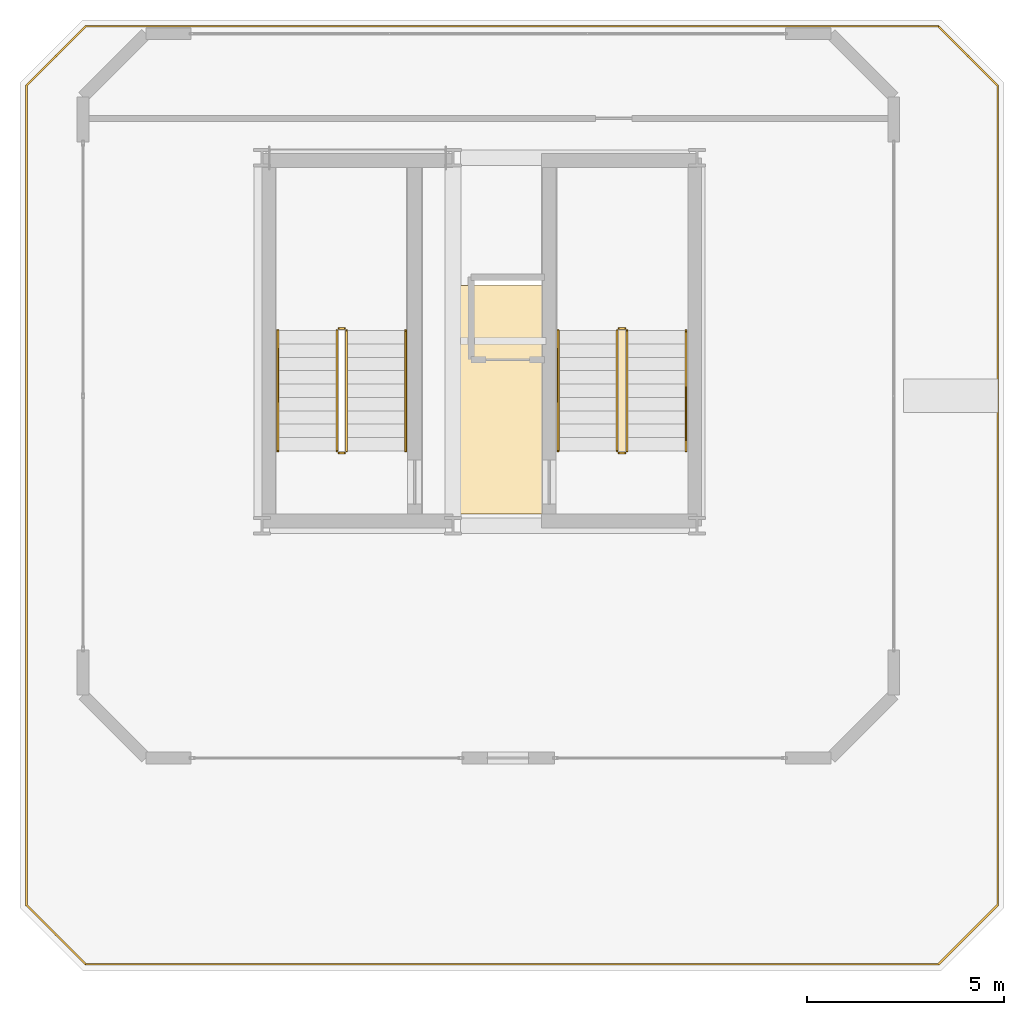
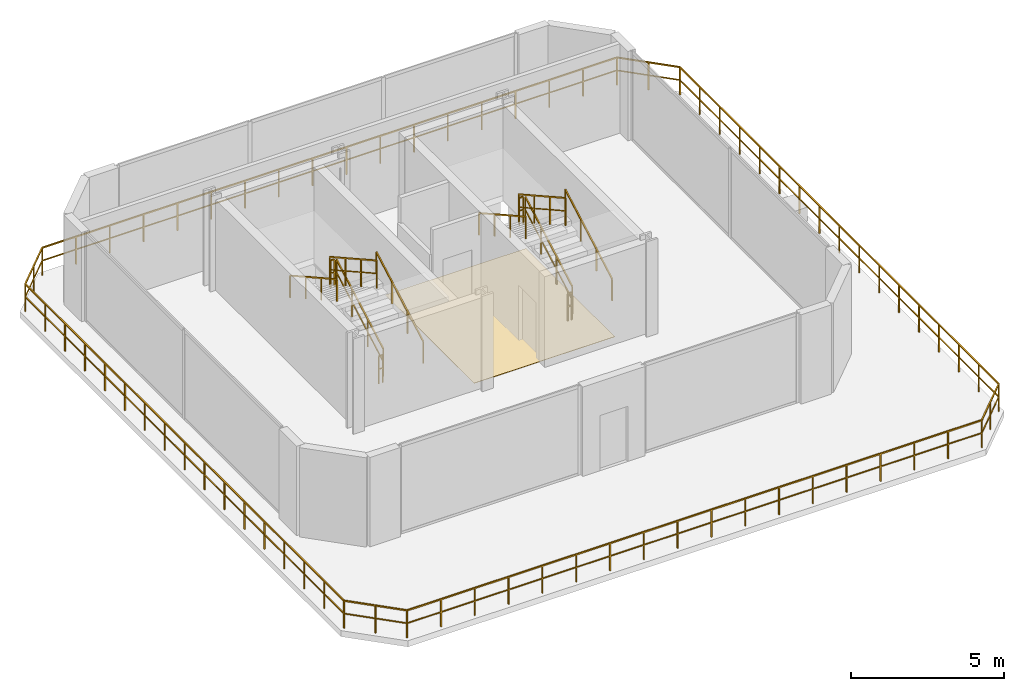
# One storey, part 12 of 12: 14 railings, 1 covering.
"""IFC4 building model written with IfcOpenShell, lengths in metres."""

from ifc_helpers import new_model, si_unit, direction, frame, origin, origin_2d, place, context, subcontext, project, spatial, polyline, rectangle, outline, extrude, material, layer, layer_set, type_object, element, save


model = new_model("IFC4")

# Units and contexts
model_context = context("Model", 3, precision=1e-05, world=origin(), true_north=direction((0.0, 1.0)))
body_context = subcontext(model_context, "Body", "Model", "MODEL_VIEW")
ifc_project = project(units=[si_unit("LENGTHUNIT", "METRE"), si_unit("AREAUNIT", "SQUARE_METRE"), si_unit("VOLUMEUNIT", "CUBIC_METRE"), si_unit("PLANEANGLEUNIT", "RADIAN"), si_unit("MASSUNIT", "GRAM", prefix="KILO")], contexts=[model_context])

# Site, building, storey
site_placement = place(None, origin())
site = spatial("IfcSite", under=ifc_project, at=site_placement, CompositionType="ELEMENT")
building_placement = place(site_placement, origin())
building = spatial("IfcBuilding", under=site, at=building_placement, Name="Zuhayl Quay Hotel", CompositionType="ELEMENT")
storey_placement = place(building_placement, frame((0.0, 0.0, 312.449951171875)))
storey = spatial("IfcBuildingStorey", under=building, at=storey_placement, Name="Crown 5", CompositionType="ELEMENT", Elevation=312.449951171875)

# Covering
ifc_material_1 = material(Name="EPDM Elastomeric Waterproofing Membrane")
ifc_layer = layer(ifc_material_1, 0.014892578125, Name="EPDM Elastomeric Waterproofing Membrane")
ifc_layer_set = layer_set([ifc_layer], Name="EPDM Elastomeric Waterproofing Membrane")
covering_type = type_object("IfcCoveringType", Name="CV_ROOF_MEMBRANE", PredefinedType="ROOFING", material=ifc_layer_set)
covering_placement = place(storey_placement, origin())
element("IfcCovering", 1, at=covering_placement, inside=storey, type_object=covering_type, Name="Crown 5 Elastomeric Roof Membrane", PredefinedType="ROOFING", context=body_context, shape_type="SweptSolid", body=[
    extrude(outline(polyline([(-4.800048828125, 25.39990234375), (0.5, 25.39990234375), (0.5, 31.199951171875), (-4.800048828125, 31.199951171875), (-4.800048828125, 25.39990234375)])), origin(), (0.0, 0.0, 1.0), 0.01513671875),
])

# Railings
ifc_material_2 = material(Name="Anodised Aluminium and Laminated Glass", Category="aluminium")
railing_type_1 = type_object("IfcRailingType", Name="RL_EXT_BAL_1100", PredefinedType="BALUSTRADE", material=ifc_material_2)
railing_1_placement = place(storey_placement, frame((-13.93359375, 13.9599609375, 0.0)))
element("IfcRailing", 2, at=railing_1_placement, inside=storey, type_object=railing_type_1, Name="Crown 5 Balcony and Terrace Guard GR_CROWN_5_1A", PredefinedType="BALUSTRADE", context=body_context, shape_type="SweptSolid", body=[
    extrude(rectangle(XDim=0.048095703125, YDim=0.048095703125, at=origin_2d()), frame((0.0, 0.0, 1.09619140625), z_axis=(-0.707106781187, 0.707106781187, 0.0), x_axis=(-0.707106781187, -0.707106781187, 0.0)), (0.0, 0.0, 1.0), 2.13037109375),
    extrude(rectangle(XDim=0.0361328125, YDim=0.0361328125, at=origin_2d()), frame((0.0, 0.0, 0.58251953125), z_axis=(-0.707106781187, 0.707106781187, 0.0), x_axis=(-0.707106781187, -0.707106781187, 0.0)), (0.0, 0.0, 1.0), 2.13037109375),
    extrude(rectangle(XDim=0.048095703125, YDim=0.048095703125, at=origin_2d()), frame((-1.50634765625, 1.50634765625, 1.09619140625), z_axis=(0.0, 1.0, 0.0), x_axis=(-1.0, 0.0, 0.0)), (0.0, 0.0, 1.0), 20.8173828125),
    extrude(rectangle(XDim=0.0361328125, YDim=0.0361328125, at=origin_2d()), frame((-1.50634765625, 1.50634765625, 0.58251953125), z_axis=(0.0, 1.0, 0.0), x_axis=(-1.0, 0.0, 0.0)), (0.0, 0.0, 1.0), 20.8173828125),
    extrude(rectangle(XDim=0.048095703125, YDim=0.048095703125, at=origin_2d()), frame((-1.50634765625, 22.32373046875, 1.09619140625), z_axis=(0.707106781187, 0.707106781187, 0.0), x_axis=(-0.707106781187, 0.707106781187, 0.0)), (0.0, 0.0, 1.0), 2.13037109375),
    extrude(rectangle(XDim=0.0361328125, YDim=0.0361328125, at=origin_2d()), frame((-1.50634765625, 22.32373046875, 0.58251953125), z_axis=(0.707106781187, 0.707106781187, 0.0), x_axis=(-0.707106781187, 0.707106781187, 0.0)), (0.0, 0.0, 1.0), 2.13037109375),
    extrude(rectangle(XDim=0.048095703125, YDim=0.048095703125, at=origin_2d()), frame((0.0, 23.830078125, 1.09619140625), z_axis=(1.0, 0.0, 0.0), x_axis=(0.0, 1.0, 0.0)), (0.0, 0.0, 1.0), 21.667236328125),
    extrude(rectangle(XDim=0.0361328125, YDim=0.0361328125, at=origin_2d()), frame((0.0, 23.830078125, 0.58251953125), z_axis=(1.0, 0.0, 0.0), x_axis=(0.0, 1.0, 0.0)), (0.0, 0.0, 1.0), 21.667236328125),
    extrude(rectangle(XDim=0.0419921875, YDim=0.0419921875, at=origin_2d()), origin(), (0.0, 0.0, 1.0), 1.072021484375),
    extrude(rectangle(XDim=0.0419921875, YDim=0.0419921875, at=origin_2d()), frame((-0.753173828125, 0.753173828125, 0.0)), (0.0, 0.0, 1.0), 1.072021484375),
    extrude(rectangle(XDim=0.0419921875, YDim=0.0419921875, at=origin_2d()), frame((-1.50634765625, 1.50634765625, 0.0)), (0.0, 0.0, 1.0), 1.072021484375),
    extrude(rectangle(XDim=0.0419921875, YDim=0.0419921875, at=origin_2d()), frame((-1.50634765625, 2.807373046875, 0.0)), (0.0, 0.0, 1.0), 1.072021484375),
    extrude(rectangle(XDim=0.0419921875, YDim=0.0419921875, at=origin_2d()), frame((-1.50634765625, 4.1083984375, 0.0)), (0.0, 0.0, 1.0), 1.072021484375),
    extrude(rectangle(XDim=0.0419921875, YDim=0.0419921875, at=origin_2d()), frame((-1.50634765625, 5.40966796875, 0.0)), (0.0, 0.0, 1.0), 1.072021484375),
    extrude(rectangle(XDim=0.0419921875, YDim=0.0419921875, at=origin_2d()), frame((-1.50634765625, 6.710693359375, 0.0)), (0.0, 0.0, 1.0), 1.072021484375),
    extrude(rectangle(XDim=0.0419921875, YDim=0.0419921875, at=origin_2d()), frame((-1.50634765625, 8.01171875, 0.0)), (0.0, 0.0, 1.0), 1.072021484375),
    extrude(rectangle(XDim=0.0419921875, YDim=0.0419921875, at=origin_2d()), frame((-1.50634765625, 9.31298828125, 0.0)), (0.0, 0.0, 1.0), 1.072021484375),
    extrude(rectangle(XDim=0.0419921875, YDim=0.0419921875, at=origin_2d()), frame((-1.50634765625, 10.614013671875, 0.0)), (0.0, 0.0, 1.0), 1.072021484375),
    extrude(rectangle(XDim=0.0419921875, YDim=0.0419921875, at=origin_2d()), frame((-1.50634765625, 11.9150390625, 0.0)), (0.0, 0.0, 1.0), 1.072021484375),
    extrude(rectangle(XDim=0.0419921875, YDim=0.0419921875, at=origin_2d()), frame((-1.50634765625, 13.216064453125, 0.0)), (0.0, 0.0, 1.0), 1.072021484375),
    extrude(rectangle(XDim=0.0419921875, YDim=0.0419921875, at=origin_2d()), frame((-1.50634765625, 14.51708984375, 0.0)), (0.0, 0.0, 1.0), 1.072021484375),
    extrude(rectangle(XDim=0.0419921875, YDim=0.0419921875, at=origin_2d()), frame((-1.50634765625, 15.818359375, 0.0)), (0.0, 0.0, 1.0), 1.072021484375),
    extrude(rectangle(XDim=0.0419921875, YDim=0.0419921875, at=origin_2d()), frame((-1.50634765625, 17.119384765625, 0.0)), (0.0, 0.0, 1.0), 1.072021484375),
    extrude(rectangle(XDim=0.0419921875, YDim=0.0419921875, at=origin_2d()), frame((-1.50634765625, 18.42041015625, 0.0)), (0.0, 0.0, 1.0), 1.072021484375),
    extrude(rectangle(XDim=0.0419921875, YDim=0.0419921875, at=origin_2d()), frame((-1.50634765625, 19.7216796875, 0.0)), (0.0, 0.0, 1.0), 1.072021484375),
    extrude(rectangle(XDim=0.0419921875, YDim=0.0419921875, at=origin_2d()), frame((-1.50634765625, 21.022705078125, 0.0)), (0.0, 0.0, 1.0), 1.072021484375),
    extrude(rectangle(XDim=0.0419921875, YDim=0.0419921875, at=origin_2d()), frame((-1.50634765625, 22.32373046875, 0.0)), (0.0, 0.0, 1.0), 1.072021484375),
    extrude(rectangle(XDim=0.0419921875, YDim=0.0419921875, at=origin_2d()), frame((-0.753173828125, 23.076904296875, 0.0)), (0.0, 0.0, 1.0), 1.072021484375),
    extrude(rectangle(XDim=0.0419921875, YDim=0.0419921875, at=origin_2d()), frame((0.0, 23.830078125, 0.0)), (0.0, 0.0, 1.0), 1.072021484375),
    extrude(rectangle(XDim=0.0419921875, YDim=0.0419921875, at=origin_2d()), frame((1.274658203125, 23.830078125, 0.0)), (0.0, 0.0, 1.0), 1.072021484375),
    extrude(rectangle(XDim=0.0419921875, YDim=0.0419921875, at=origin_2d()), frame((2.549072265625, 23.830078125, 0.0)), (0.0, 0.0, 1.0), 1.072021484375),
    extrude(rectangle(XDim=0.0419921875, YDim=0.0419921875, at=origin_2d()), frame((3.82373046875, 23.830078125, 0.0)), (0.0, 0.0, 1.0), 1.072021484375),
    extrude(rectangle(XDim=0.0419921875, YDim=0.0419921875, at=origin_2d()), frame((5.09814453125, 23.830078125, 0.0)), (0.0, 0.0, 1.0), 1.072021484375),
    extrude(rectangle(XDim=0.0419921875, YDim=0.0419921875, at=origin_2d()), frame((6.372802734375, 23.830078125, 0.0)), (0.0, 0.0, 1.0), 1.072021484375),
    extrude(rectangle(XDim=0.0419921875, YDim=0.0419921875, at=origin_2d()), frame((7.647216796875, 23.830078125, 0.0)), (0.0, 0.0, 1.0), 1.072021484375),
    extrude(rectangle(XDim=0.0419921875, YDim=0.0419921875, at=origin_2d()), frame((8.921875, 23.830078125, 0.0)), (0.0, 0.0, 1.0), 1.072021484375),
    extrude(rectangle(XDim=0.0419921875, YDim=0.0419921875, at=origin_2d()), frame((10.1962890625, 23.830078125, 0.0)), (0.0, 0.0, 1.0), 1.072021484375),
    extrude(rectangle(XDim=0.0419921875, YDim=0.0419921875, at=origin_2d()), frame((11.470947265625, 23.830078125, 0.0)), (0.0, 0.0, 1.0), 1.072021484375),
    extrude(rectangle(XDim=0.0419921875, YDim=0.0419921875, at=origin_2d()), frame((12.745361328125, 23.830078125, 0.0)), (0.0, 0.0, 1.0), 1.072021484375),
    extrude(rectangle(XDim=0.0419921875, YDim=0.0419921875, at=origin_2d()), frame((14.02001953125, 23.830078125, 0.0)), (0.0, 0.0, 1.0), 1.072021484375),
    extrude(rectangle(XDim=0.0419921875, YDim=0.0419921875, at=origin_2d()), frame((15.29443359375, 23.830078125, 0.0)), (0.0, 0.0, 1.0), 1.072021484375),
    extrude(rectangle(XDim=0.0419921875, YDim=0.0419921875, at=origin_2d()), frame((16.569091796875, 23.830078125, 0.0)), (0.0, 0.0, 1.0), 1.072021484375),
    extrude(rectangle(XDim=0.0419921875, YDim=0.0419921875, at=origin_2d()), frame((17.843505859375, 23.830078125, 0.0)), (0.0, 0.0, 1.0), 1.072021484375),
    extrude(rectangle(XDim=0.0419921875, YDim=0.0419921875, at=origin_2d()), frame((19.1181640625, 23.830078125, 0.0)), (0.0, 0.0, 1.0), 1.072021484375),
    extrude(rectangle(XDim=0.0419921875, YDim=0.0419921875, at=origin_2d()), frame((20.392578125, 23.830078125, 0.0)), (0.0, 0.0, 1.0), 1.072021484375),
    extrude(rectangle(XDim=0.0419921875, YDim=0.0419921875, at=origin_2d()), frame((21.667236328125, 23.830078125, 0.0)), (0.0, 0.0, 1.0), 1.072021484375),
])
railing_2_placement = place(storey_placement, frame((7.733642578125, 37.7900390625, 0.0)))
element("IfcRailing", 3, at=railing_2_placement, inside=storey, type_object=railing_type_1, Name="Crown 5 Balcony and Terrace Guard GR_CROWN_5_1B", PredefinedType="BALUSTRADE", context=body_context, shape_type="SweptSolid", body=[
    extrude(rectangle(XDim=0.048095703125, YDim=0.048095703125, at=origin_2d()), frame((0.0, 0.0, 1.09619140625), z_axis=(0.707106781187, -0.707106781187, 0.0), x_axis=(0.707106781187, 0.707106781187, 0.0)), (0.0, 0.0, 1.0), 2.13037109375),
    extrude(rectangle(XDim=0.0361328125, YDim=0.0361328125, at=origin_2d()), frame((0.0, 0.0, 0.58251953125), z_axis=(0.707106781187, -0.707106781187, 0.0), x_axis=(0.707106781187, 0.707106781187, 0.0)), (0.0, 0.0, 1.0), 2.13037109375),
    extrude(rectangle(XDim=0.048095703125, YDim=0.048095703125, at=origin_2d()), frame((1.50634765625, -1.50634765625, 1.09619140625), z_axis=(0.0, -1.0, 0.0), x_axis=(1.0, 0.0, 0.0)), (0.0, 0.0, 1.0), 20.8173828125),
    extrude(rectangle(XDim=0.0361328125, YDim=0.0361328125, at=origin_2d()), frame((1.50634765625, -1.50634765625, 0.58251953125), z_axis=(0.0, -1.0, 0.0), x_axis=(1.0, 0.0, 0.0)), (0.0, 0.0, 1.0), 20.8173828125),
    extrude(rectangle(XDim=0.048095703125, YDim=0.048095703125, at=origin_2d()), frame((1.50634765625, -22.32373046875, 1.09619140625), z_axis=(-0.707106781187, -0.707106781187, 0.0), x_axis=(0.707106781187, -0.707106781187, 0.0)), (0.0, 0.0, 1.0), 2.13037109375),
    extrude(rectangle(XDim=0.0361328125, YDim=0.0361328125, at=origin_2d()), frame((1.50634765625, -22.32373046875, 0.58251953125), z_axis=(-0.707106781187, -0.707106781187, 0.0), x_axis=(0.707106781187, -0.707106781187, 0.0)), (0.0, 0.0, 1.0), 2.13037109375),
    extrude(rectangle(XDim=0.048095703125, YDim=0.048095703125, at=origin_2d()), frame((0.0, -23.830078125, 1.09619140625), z_axis=(-1.0, 0.0, 0.0), x_axis=(0.0, -1.0, 0.0)), (0.0, 0.0, 1.0), 21.667236328125),
    extrude(rectangle(XDim=0.0361328125, YDim=0.0361328125, at=origin_2d()), frame((0.0, -23.830078125, 0.58251953125), z_axis=(-1.0, 0.0, 0.0), x_axis=(0.0, -1.0, 0.0)), (0.0, 0.0, 1.0), 21.667236328125),
    extrude(rectangle(XDim=0.0419921875, YDim=0.0419921875, at=origin_2d()), origin(), (0.0, 0.0, 1.0), 1.072021484375),
    extrude(rectangle(XDim=0.0419921875, YDim=0.0419921875, at=origin_2d()), frame((0.753173828125, -0.753173828125, 0.0)), (0.0, 0.0, 1.0), 1.072021484375),
    extrude(rectangle(XDim=0.0419921875, YDim=0.0419921875, at=origin_2d()), frame((1.50634765625, -1.50634765625, 0.0)), (0.0, 0.0, 1.0), 1.072021484375),
    extrude(rectangle(XDim=0.0419921875, YDim=0.0419921875, at=origin_2d()), frame((1.50634765625, -2.807373046875, 0.0)), (0.0, 0.0, 1.0), 1.072021484375),
    extrude(rectangle(XDim=0.0419921875, YDim=0.0419921875, at=origin_2d()), frame((1.50634765625, -4.1083984375, 0.0)), (0.0, 0.0, 1.0), 1.072021484375),
    extrude(rectangle(XDim=0.0419921875, YDim=0.0419921875, at=origin_2d()), frame((1.50634765625, -5.40966796875, 0.0)), (0.0, 0.0, 1.0), 1.072021484375),
    extrude(rectangle(XDim=0.0419921875, YDim=0.0419921875, at=origin_2d()), frame((1.50634765625, -6.710693359375, 0.0)), (0.0, 0.0, 1.0), 1.072021484375),
    extrude(rectangle(XDim=0.0419921875, YDim=0.0419921875, at=origin_2d()), frame((1.50634765625, -8.01171875, 0.0)), (0.0, 0.0, 1.0), 1.072021484375),
    extrude(rectangle(XDim=0.0419921875, YDim=0.0419921875, at=origin_2d()), frame((1.50634765625, -9.31298828125, 0.0)), (0.0, 0.0, 1.0), 1.072021484375),
    extrude(rectangle(XDim=0.0419921875, YDim=0.0419921875, at=origin_2d()), frame((1.50634765625, -10.614013671875, 0.0)), (0.0, 0.0, 1.0), 1.072021484375),
    extrude(rectangle(XDim=0.0419921875, YDim=0.0419921875, at=origin_2d()), frame((1.50634765625, -11.9150390625, 0.0)), (0.0, 0.0, 1.0), 1.072021484375),
    extrude(rectangle(XDim=0.0419921875, YDim=0.0419921875, at=origin_2d()), frame((1.50634765625, -13.216064453125, 0.0)), (0.0, 0.0, 1.0), 1.072021484375),
    extrude(rectangle(XDim=0.0419921875, YDim=0.0419921875, at=origin_2d()), frame((1.50634765625, -14.51708984375, 0.0)), (0.0, 0.0, 1.0), 1.072021484375),
    extrude(rectangle(XDim=0.0419921875, YDim=0.0419921875, at=origin_2d()), frame((1.50634765625, -15.818359375, 0.0)), (0.0, 0.0, 1.0), 1.072021484375),
    extrude(rectangle(XDim=0.0419921875, YDim=0.0419921875, at=origin_2d()), frame((1.50634765625, -17.119384765625, 0.0)), (0.0, 0.0, 1.0), 1.072021484375),
    extrude(rectangle(XDim=0.0419921875, YDim=0.0419921875, at=origin_2d()), frame((1.50634765625, -18.42041015625, 0.0)), (0.0, 0.0, 1.0), 1.072021484375),
    extrude(rectangle(XDim=0.0419921875, YDim=0.0419921875, at=origin_2d()), frame((1.50634765625, -19.7216796875, 0.0)), (0.0, 0.0, 1.0), 1.072021484375),
    extrude(rectangle(XDim=0.0419921875, YDim=0.0419921875, at=origin_2d()), frame((1.50634765625, -21.022705078125, 0.0)), (0.0, 0.0, 1.0), 1.072021484375),
    extrude(rectangle(XDim=0.0419921875, YDim=0.0419921875, at=origin_2d()), frame((1.50634765625, -22.32373046875, 0.0)), (0.0, 0.0, 1.0), 1.072021484375),
    extrude(rectangle(XDim=0.0419921875, YDim=0.0419921875, at=origin_2d()), frame((0.753173828125, -23.076904296875, 0.0)), (0.0, 0.0, 1.0), 1.072021484375),
    extrude(rectangle(XDim=0.0419921875, YDim=0.0419921875, at=origin_2d()), frame((0.0, -23.830078125, 0.0)), (0.0, 0.0, 1.0), 1.072021484375),
    extrude(rectangle(XDim=0.0419921875, YDim=0.0419921875, at=origin_2d()), frame((-1.274658203125, -23.830078125, 0.0)), (0.0, 0.0, 1.0), 1.072021484375),
    extrude(rectangle(XDim=0.0419921875, YDim=0.0419921875, at=origin_2d()), frame((-2.549072265625, -23.830078125, 0.0)), (0.0, 0.0, 1.0), 1.072021484375),
    extrude(rectangle(XDim=0.0419921875, YDim=0.0419921875, at=origin_2d()), frame((-3.82373046875, -23.830078125, 0.0)), (0.0, 0.0, 1.0), 1.072021484375),
    extrude(rectangle(XDim=0.0419921875, YDim=0.0419921875, at=origin_2d()), frame((-5.09814453125, -23.830078125, 0.0)), (0.0, 0.0, 1.0), 1.072021484375),
    extrude(rectangle(XDim=0.0419921875, YDim=0.0419921875, at=origin_2d()), frame((-6.372802734375, -23.830078125, 0.0)), (0.0, 0.0, 1.0), 1.072021484375),
    extrude(rectangle(XDim=0.0419921875, YDim=0.0419921875, at=origin_2d()), frame((-7.647216796875, -23.830078125, 0.0)), (0.0, 0.0, 1.0), 1.072021484375),
    extrude(rectangle(XDim=0.0419921875, YDim=0.0419921875, at=origin_2d()), frame((-8.921875, -23.830078125, 0.0)), (0.0, 0.0, 1.0), 1.072021484375),
    extrude(rectangle(XDim=0.0419921875, YDim=0.0419921875, at=origin_2d()), frame((-10.1962890625, -23.830078125, 0.0)), (0.0, 0.0, 1.0), 1.072021484375),
    extrude(rectangle(XDim=0.0419921875, YDim=0.0419921875, at=origin_2d()), frame((-11.470947265625, -23.830078125, 0.0)), (0.0, 0.0, 1.0), 1.072021484375),
    extrude(rectangle(XDim=0.0419921875, YDim=0.0419921875, at=origin_2d()), frame((-12.745361328125, -23.830078125, 0.0)), (0.0, 0.0, 1.0), 1.072021484375),
    extrude(rectangle(XDim=0.0419921875, YDim=0.0419921875, at=origin_2d()), frame((-14.02001953125, -23.830078125, 0.0)), (0.0, 0.0, 1.0), 1.072021484375),
    extrude(rectangle(XDim=0.0419921875, YDim=0.0419921875, at=origin_2d()), frame((-15.29443359375, -23.830078125, 0.0)), (0.0, 0.0, 1.0), 1.072021484375),
    extrude(rectangle(XDim=0.0419921875, YDim=0.0419921875, at=origin_2d()), frame((-16.569091796875, -23.830078125, 0.0)), (0.0, 0.0, 1.0), 1.072021484375),
    extrude(rectangle(XDim=0.0419921875, YDim=0.0419921875, at=origin_2d()), frame((-17.843505859375, -23.830078125, 0.0)), (0.0, 0.0, 1.0), 1.072021484375),
    extrude(rectangle(XDim=0.0419921875, YDim=0.0419921875, at=origin_2d()), frame((-19.1181640625, -23.830078125, 0.0)), (0.0, 0.0, 1.0), 1.072021484375),
    extrude(rectangle(XDim=0.0419921875, YDim=0.0419921875, at=origin_2d()), frame((-20.392578125, -23.830078125, 0.0)), (0.0, 0.0, 1.0), 1.072021484375),
    extrude(rectangle(XDim=0.0419921875, YDim=0.0419921875, at=origin_2d()), frame((-21.667236328125, -23.830078125, 0.0)), (0.0, 0.0, 1.0), 1.072021484375),
])
ifc_material_3 = material(Name="Steel ASTM A992 Grade 50", Category="steel")
railing_type_2 = type_object("IfcRailingType", Name="RL_GUARD_1100", PredefinedType="GUARDRAIL", material=ifc_material_3)
railing_3_placement = place(storey_placement, frame((-7.300048828125, 27.0, 0.18994140625)))
element("IfcRailing", 4, at=railing_3_placement, inside=storey, type_object=railing_type_2, Name="Crown 5 ST5 stair guard 1", PredefinedType="GUARDRAIL", context=body_context, shape_type="SweptSolid", body=[
    extrude(rectangle(XDim=0.048095703125, YDim=0.048095703125, at=origin_2d()), frame((0.0, 0.0, 1.09619140625), z_axis=(0.0, 0.872922546704, 0.487858819185), x_axis=(-1.0, 0.0, 0.0)), (0.0, 0.0, 1.0), 3.505615234375),
    extrude(rectangle(XDim=0.0361328125, YDim=0.0361328125, at=origin_2d()), frame((0.0, 0.0, 0.58251953125), z_axis=(0.0, 0.872922546704, 0.487858819185), x_axis=(-1.0, 0.0, 0.0)), (0.0, 0.0, 1.0), 3.505615234375),
    extrude(rectangle(XDim=0.0419921875, YDim=0.0419921875, at=origin_2d()), origin(), (0.0, 0.0, 1.0), 1.072021484375),
    extrude(rectangle(XDim=0.0419921875, YDim=0.0419921875, at=origin_2d()), frame((0.0, 1.02001953125, 0.570068359375)), (0.0, 0.0, 1.0), 1.072021484375),
    extrude(rectangle(XDim=0.0419921875, YDim=0.0419921875, at=origin_2d()), frame((0.0, 2.0400390625, 1.14013671875)), (0.0, 0.0, 1.0), 1.072021484375),
    extrude(rectangle(XDim=0.0419921875, YDim=0.0419921875, at=origin_2d()), frame((0.0, 3.06005859375, 1.710205078125)), (0.0, 0.0, 1.0), 1.072021484375),
])
railing_4_placement = place(storey_placement, frame((-7.35009765625, 30.110107421875, 1.900146484375)))
element("IfcRailing", 5, at=railing_4_placement, inside=storey, type_object=railing_type_2, Name="Crown 5 ST5 stair guard 2", PredefinedType="GUARDRAIL", context=body_context, shape_type="SweptSolid", body=[
    extrude(rectangle(XDim=0.048095703125, YDim=0.048095703125, at=origin_2d()), frame((0.0, 0.0, 1.09619140625), z_axis=(-1.0, 0.0, 0.0), x_axis=(0.0, -1.0, 0.0)), (0.0, 0.0, 1.0), 0.14990234375),
    extrude(rectangle(XDim=0.0361328125, YDim=0.0361328125, at=origin_2d()), frame((0.0, 0.0, 0.58251953125), z_axis=(-1.0, 0.0, 0.0), x_axis=(0.0, -1.0, 0.0)), (0.0, 0.0, 1.0), 0.14990234375),
    extrude(rectangle(XDim=0.0419921875, YDim=0.0419921875, at=origin_2d()), origin(), (0.0, 0.0, 1.0), 1.072021484375),
    extrude(rectangle(XDim=0.0419921875, YDim=0.0419921875, at=origin_2d()), frame((-0.14990234375, 0.0, 0.0)), (0.0, 0.0, 1.0), 1.072021484375),
])
railing_5_placement = place(storey_placement, frame((-7.550048828125, 30.06005859375, 2.090087890625)))
element("IfcRailing", 6, at=railing_5_placement, inside=storey, type_object=railing_type_2, Name="Crown 5 ST5 stair guard 3", PredefinedType="GUARDRAIL", context=body_context, shape_type="SweptSolid", body=[
    extrude(rectangle(XDim=0.048095703125, YDim=0.048095703125, at=origin_2d()), frame((0.0, 0.0, 1.09619140625), z_axis=(0.0, -0.872952205056, 0.487805747903), x_axis=(1.0, 0.0, 0.0)), (0.0, 0.0, 1.0), 3.50537109375),
    extrude(rectangle(XDim=0.0361328125, YDim=0.0361328125, at=origin_2d()), frame((0.0, 0.0, 0.58251953125), z_axis=(0.0, -0.872952205056, 0.487805747903), x_axis=(1.0, 0.0, 0.0)), (0.0, 0.0, 1.0), 3.50537109375),
    extrude(rectangle(XDim=0.0419921875, YDim=0.0419921875, at=origin_2d()), origin(), (0.0, 0.0, 1.0), 1.072021484375),
    extrude(rectangle(XDim=0.0419921875, YDim=0.0419921875, at=origin_2d()), frame((0.0, -1.02001953125, 0.570068359375)), (0.0, 0.0, 1.0), 1.072021484375),
    extrude(rectangle(XDim=0.0419921875, YDim=0.0419921875, at=origin_2d()), frame((0.0, -2.0400390625, 1.139892578125)), (0.0, 0.0, 1.0), 1.072021484375),
    extrude(rectangle(XDim=0.0419921875, YDim=0.0419921875, at=origin_2d()), frame((0.0, -3.06005859375, 1.7099609375)), (0.0, 0.0, 1.0), 1.072021484375),
])
railing_6_placement = place(storey_placement, frame((-7.35009765625, 26.949951171875, 0.0)))
element("IfcRailing", 7, at=railing_6_placement, inside=storey, type_object=railing_type_2, Name="Crown 5 ST5 stair guard 4", PredefinedType="GUARDRAIL", context=body_context, shape_type="SweptSolid", body=[
    extrude(rectangle(XDim=0.048095703125, YDim=0.048095703125, at=origin_2d()), frame((0.0, 0.0, 1.09619140625), z_axis=(-1.0, 0.0, 0.0), x_axis=(0.0, -1.0, 0.0)), (0.0, 0.0, 1.0), 0.14990234375),
    extrude(rectangle(XDim=0.0361328125, YDim=0.0361328125, at=origin_2d()), frame((0.0, 0.0, 0.58251953125), z_axis=(-1.0, 0.0, 0.0), x_axis=(0.0, -1.0, 0.0)), (0.0, 0.0, 1.0), 0.14990234375),
    extrude(rectangle(XDim=0.0419921875, YDim=0.0419921875, at=origin_2d()), origin(), (0.0, 0.0, 1.0), 1.072021484375),
    extrude(rectangle(XDim=0.0419921875, YDim=0.0419921875, at=origin_2d()), frame((-0.14990234375, 0.0, 0.0)), (0.0, 0.0, 1.0), 1.072021484375),
])
railing_7_placement = place(storey_placement, frame((-0.179931640625, 27.0, 0.18994140625)))
element("IfcRailing", 8, at=railing_7_placement, inside=storey, type_object=railing_type_2, Name="Crown 5 ST6 stair guard 1", PredefinedType="GUARDRAIL", context=body_context, shape_type="SweptSolid", body=[
    extrude(rectangle(XDim=0.048095703125, YDim=0.048095703125, at=origin_2d()), frame((0.0, 0.0, 1.09619140625), z_axis=(0.0, 0.872922546704, 0.487858819185), x_axis=(-1.0, 0.0, 0.0)), (0.0, 0.0, 1.0), 3.505615234375),
    extrude(rectangle(XDim=0.0361328125, YDim=0.0361328125, at=origin_2d()), frame((0.0, 0.0, 0.58251953125), z_axis=(0.0, 0.872922546704, 0.487858819185), x_axis=(-1.0, 0.0, 0.0)), (0.0, 0.0, 1.0), 3.505615234375),
    extrude(rectangle(XDim=0.0419921875, YDim=0.0419921875, at=origin_2d()), origin(), (0.0, 0.0, 1.0), 1.072021484375),
    extrude(rectangle(XDim=0.0419921875, YDim=0.0419921875, at=origin_2d()), frame((0.0, 1.02001953125, 0.570068359375)), (0.0, 0.0, 1.0), 1.072021484375),
    extrude(rectangle(XDim=0.0419921875, YDim=0.0419921875, at=origin_2d()), frame((0.0, 2.0400390625, 1.14013671875)), (0.0, 0.0, 1.0), 1.072021484375),
    extrude(rectangle(XDim=0.0419921875, YDim=0.0419921875, at=origin_2d()), frame((0.0, 3.06005859375, 1.710205078125)), (0.0, 0.0, 1.0), 1.072021484375),
])
railing_8_placement = place(storey_placement, frame((-0.22998046875, 30.110107421875, 1.900146484375)))
element("IfcRailing", 9, at=railing_8_placement, inside=storey, type_object=railing_type_2, Name="Crown 5 ST6 stair guard 2", PredefinedType="GUARDRAIL", context=body_context, shape_type="SweptSolid", body=[
    extrude(rectangle(XDim=0.048095703125, YDim=0.048095703125, at=origin_2d()), frame((0.0, 0.0, 1.09619140625), z_axis=(-1.0, 0.0, 0.0), x_axis=(0.0, -1.0, 0.0)), (0.0, 0.0, 1.0), 0.14990234375),
    extrude(rectangle(XDim=0.0361328125, YDim=0.0361328125, at=origin_2d()), frame((0.0, 0.0, 0.58251953125), z_axis=(-1.0, 0.0, 0.0), x_axis=(0.0, -1.0, 0.0)), (0.0, 0.0, 1.0), 0.14990234375),
    extrude(rectangle(XDim=0.0419921875, YDim=0.0419921875, at=origin_2d()), origin(), (0.0, 0.0, 1.0), 1.072021484375),
    extrude(rectangle(XDim=0.0419921875, YDim=0.0419921875, at=origin_2d()), frame((-0.14990234375, 0.0, 0.0)), (0.0, 0.0, 1.0), 1.072021484375),
])
railing_9_placement = place(storey_placement, frame((-0.429931640625, 30.06005859375, 2.090087890625)))
element("IfcRailing", 10, at=railing_9_placement, inside=storey, type_object=railing_type_2, Name="Crown 5 ST6 stair guard 3", PredefinedType="GUARDRAIL", context=body_context, shape_type="SweptSolid", body=[
    extrude(rectangle(XDim=0.048095703125, YDim=0.048095703125, at=origin_2d()), frame((0.0, 0.0, 1.09619140625), z_axis=(0.0, -0.872952205056, 0.487805747903), x_axis=(1.0, 0.0, 0.0)), (0.0, 0.0, 1.0), 3.50537109375),
    extrude(rectangle(XDim=0.0361328125, YDim=0.0361328125, at=origin_2d()), frame((0.0, 0.0, 0.58251953125), z_axis=(0.0, -0.872952205056, 0.487805747903), x_axis=(1.0, 0.0, 0.0)), (0.0, 0.0, 1.0), 3.50537109375),
    extrude(rectangle(XDim=0.0419921875, YDim=0.0419921875, at=origin_2d()), origin(), (0.0, 0.0, 1.0), 1.072021484375),
    extrude(rectangle(XDim=0.0419921875, YDim=0.0419921875, at=origin_2d()), frame((0.0, -1.02001953125, 0.570068359375)), (0.0, 0.0, 1.0), 1.072021484375),
    extrude(rectangle(XDim=0.0419921875, YDim=0.0419921875, at=origin_2d()), frame((0.0, -2.0400390625, 1.139892578125)), (0.0, 0.0, 1.0), 1.072021484375),
    extrude(rectangle(XDim=0.0419921875, YDim=0.0419921875, at=origin_2d()), frame((0.0, -3.06005859375, 1.7099609375)), (0.0, 0.0, 1.0), 1.072021484375),
])
railing_10_placement = place(storey_placement, frame((-0.22998046875, 26.949951171875, 0.0)))
element("IfcRailing", 11, at=railing_10_placement, inside=storey, type_object=railing_type_2, Name="Crown 5 ST6 stair guard 4", PredefinedType="GUARDRAIL", context=body_context, shape_type="SweptSolid", body=[
    extrude(rectangle(XDim=0.048095703125, YDim=0.048095703125, at=origin_2d()), frame((0.0, 0.0, 1.09619140625), z_axis=(-1.0, 0.0, 0.0), x_axis=(0.0, -1.0, 0.0)), (0.0, 0.0, 1.0), 0.14990234375),
    extrude(rectangle(XDim=0.0361328125, YDim=0.0361328125, at=origin_2d()), frame((0.0, 0.0, 0.58251953125), z_axis=(-1.0, 0.0, 0.0), x_axis=(0.0, -1.0, 0.0)), (0.0, 0.0, 1.0), 0.14990234375),
    extrude(rectangle(XDim=0.0419921875, YDim=0.0419921875, at=origin_2d()), origin(), (0.0, 0.0, 1.0), 1.072021484375),
    extrude(rectangle(XDim=0.0419921875, YDim=0.0419921875, at=origin_2d()), frame((-0.14990234375, 0.0, 0.0)), (0.0, 0.0, 1.0), 1.072021484375),
])
railing_type_3 = type_object("IfcRailingType", Name="RL_HANDRAIL_920", PredefinedType="HANDRAIL", material=ifc_material_3)
railing_11_placement = place(storey_placement, frame((-5.800048828125, 27.0, 0.18994140625)))
element("IfcRailing", 12, at=railing_11_placement, inside=storey, type_object=railing_type_3, Name="Crown 5 ST5 stair handrail 1", PredefinedType="HANDRAIL", context=body_context, shape_type="SweptSolid", body=[
    extrude(rectangle(XDim=0.048095703125, YDim=0.048095703125, at=origin_2d()), frame((0.0, 0.0, 0.8759765625), z_axis=(0.0, 0.872922546704, 0.487858819185), x_axis=(-1.0, 0.0, 0.0)), (0.0, 0.0, 1.0), 3.505615234375),
    extrude(rectangle(XDim=0.0419921875, YDim=0.0419921875, at=origin_2d()), origin(), (0.0, 0.0, 1.0), 0.851806640625),
    extrude(rectangle(XDim=0.0419921875, YDim=0.0419921875, at=origin_2d()), frame((0.0, 1.02001953125, 0.570068359375)), (0.0, 0.0, 1.0), 0.851806640625),
    extrude(rectangle(XDim=0.0419921875, YDim=0.0419921875, at=origin_2d()), frame((0.0, 2.0400390625, 1.14013671875)), (0.0, 0.0, 1.0), 0.851806640625),
    extrude(rectangle(XDim=0.0419921875, YDim=0.0419921875, at=origin_2d()), frame((0.0, 3.06005859375, 1.710205078125)), (0.0, 0.0, 1.0), 0.851806640625),
])
railing_12_placement = place(storey_placement, frame((-9.050048828125, 30.06005859375, 2.090087890625)))
element("IfcRailing", 13, at=railing_12_placement, inside=storey, type_object=railing_type_3, Name="Crown 5 ST5 stair handrail 2", PredefinedType="HANDRAIL", context=body_context, shape_type="SweptSolid", body=[
    extrude(rectangle(XDim=0.048095703125, YDim=0.048095703125, at=origin_2d()), frame((0.0, 0.0, 0.8759765625), z_axis=(0.0, -0.872952205056, 0.487805747903), x_axis=(1.0, 0.0, 0.0)), (0.0, 0.0, 1.0), 3.50537109375),
    extrude(rectangle(XDim=0.0419921875, YDim=0.0419921875, at=origin_2d()), origin(), (0.0, 0.0, 1.0), 0.851806640625),
    extrude(rectangle(XDim=0.0419921875, YDim=0.0419921875, at=origin_2d()), frame((0.0, -1.02001953125, 0.570068359375)), (0.0, 0.0, 1.0), 0.851806640625),
    extrude(rectangle(XDim=0.0419921875, YDim=0.0419921875, at=origin_2d()), frame((0.0, -2.0400390625, 1.139892578125)), (0.0, 0.0, 1.0), 0.851806640625),
    extrude(rectangle(XDim=0.0419921875, YDim=0.0419921875, at=origin_2d()), frame((0.0, -3.06005859375, 1.7099609375)), (0.0, 0.0, 1.0), 0.851806640625),
])
railing_13_placement = place(storey_placement, frame((1.320068359375, 27.0, 0.18994140625)))
element("IfcRailing", 14, at=railing_13_placement, inside=storey, type_object=railing_type_3, Name="Crown 5 ST6 stair handrail 1", PredefinedType="HANDRAIL", context=body_context, shape_type="SweptSolid", body=[
    extrude(rectangle(XDim=0.048095703125, YDim=0.048095703125, at=origin_2d()), frame((0.0, 0.0, 0.8759765625), z_axis=(0.0, 0.872922546704, 0.487858819185), x_axis=(-1.0, 0.0, 0.0)), (0.0, 0.0, 1.0), 3.505615234375),
    extrude(rectangle(XDim=0.0419921875, YDim=0.0419921875, at=origin_2d()), origin(), (0.0, 0.0, 1.0), 0.851806640625),
    extrude(rectangle(XDim=0.0419921875, YDim=0.0419921875, at=origin_2d()), frame((0.0, 1.02001953125, 0.570068359375)), (0.0, 0.0, 1.0), 0.851806640625),
    extrude(rectangle(XDim=0.0419921875, YDim=0.0419921875, at=origin_2d()), frame((0.0, 2.0400390625, 1.14013671875)), (0.0, 0.0, 1.0), 0.851806640625),
    extrude(rectangle(XDim=0.0419921875, YDim=0.0419921875, at=origin_2d()), frame((0.0, 3.06005859375, 1.710205078125)), (0.0, 0.0, 1.0), 0.851806640625),
])
railing_14_placement = place(storey_placement, frame((-1.929931640625, 30.06005859375, 2.090087890625)))
element("IfcRailing", 15, at=railing_14_placement, inside=storey, type_object=railing_type_3, Name="Crown 5 ST6 stair handrail 2", PredefinedType="HANDRAIL", context=body_context, shape_type="SweptSolid", body=[
    extrude(rectangle(XDim=0.048095703125, YDim=0.048095703125, at=origin_2d()), frame((0.0, 0.0, 0.8759765625), z_axis=(0.0, -0.872952205056, 0.487805747903), x_axis=(1.0, 0.0, 0.0)), (0.0, 0.0, 1.0), 3.50537109375),
    extrude(rectangle(XDim=0.0419921875, YDim=0.0419921875, at=origin_2d()), origin(), (0.0, 0.0, 1.0), 0.851806640625),
    extrude(rectangle(XDim=0.0419921875, YDim=0.0419921875, at=origin_2d()), frame((0.0, -1.02001953125, 0.570068359375)), (0.0, 0.0, 1.0), 0.851806640625),
    extrude(rectangle(XDim=0.0419921875, YDim=0.0419921875, at=origin_2d()), frame((0.0, -2.0400390625, 1.139892578125)), (0.0, 0.0, 1.0), 0.851806640625),
    extrude(rectangle(XDim=0.0419921875, YDim=0.0419921875, at=origin_2d()), frame((0.0, -3.06005859375, 1.7099609375)), (0.0, 0.0, 1.0), 0.851806640625),
])

save(model, "model.ifc")
